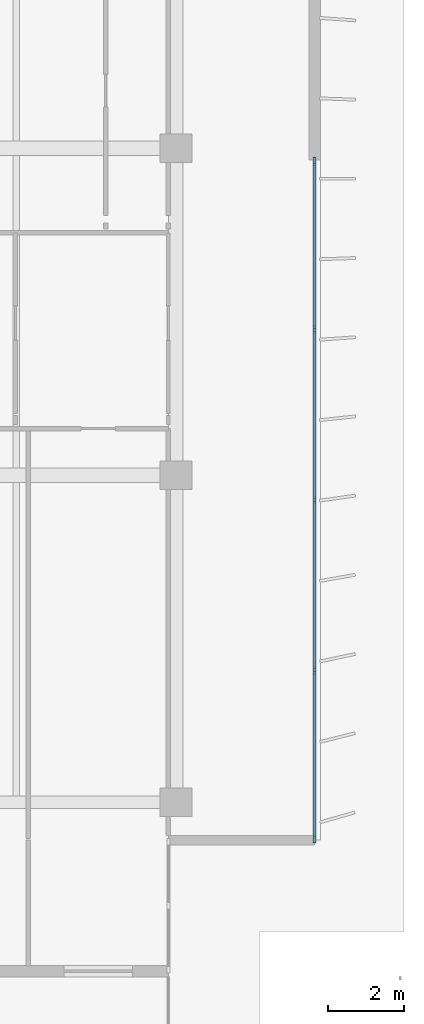
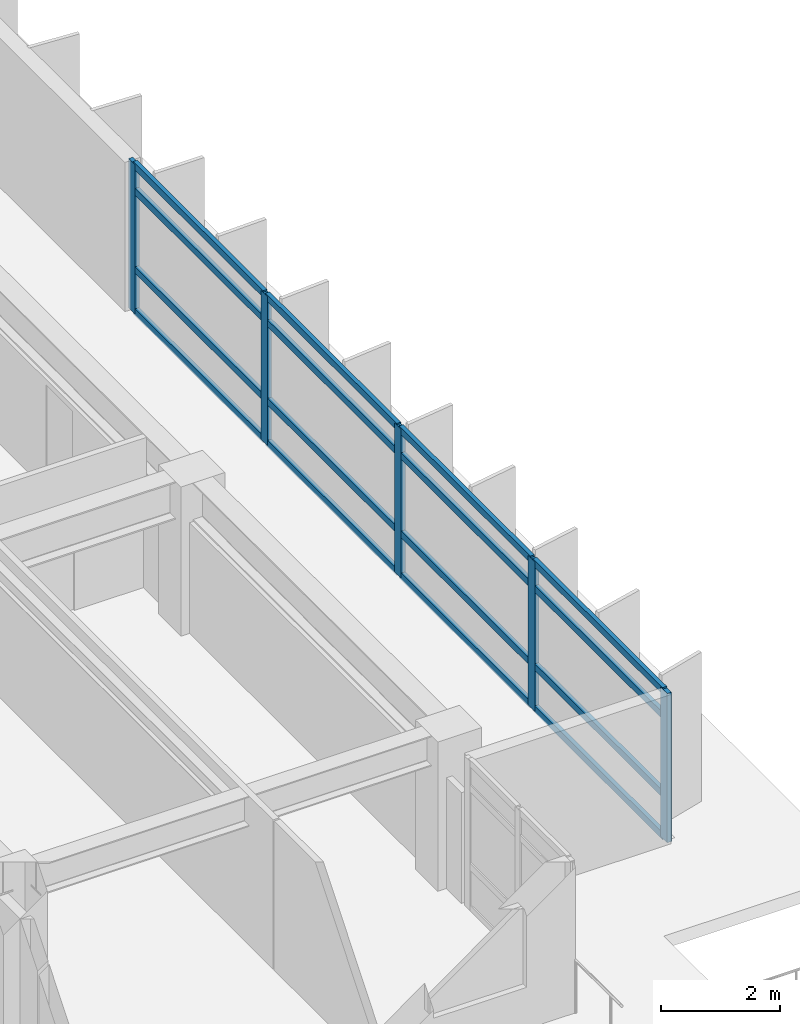
# One storey, part 5 of 17: 21 members, 1 element without a shape of its own.
"""IFC4 building model written with IfcOpenShell, lengths in metres."""

from ifc_helpers import new_model, si_unit, direction, frame, origin, origin_2d, place, context, subcontext, project, spatial, rectangle, extrude, material, layer, layer_set, material_profile, profile_set, type_object, element, aggregate, save


model = new_model("IFC4")

# Units and contexts
model_context = context("Model", 3, precision=1e-05, world=origin(), true_north=direction((0.0, 1.0)))
body_context = subcontext(model_context, "Body", "Model", "MODEL_VIEW")
ifc_project = project(units=[si_unit("LENGTHUNIT", "METRE"), si_unit("AREAUNIT", "SQUARE_METRE"), si_unit("VOLUMEUNIT", "CUBIC_METRE"), si_unit("PLANEANGLEUNIT", "RADIAN"), si_unit("MASSUNIT", "GRAM", prefix="KILO")], contexts=[model_context])

# Site, building, storey
site_placement = place(None, origin())
site = spatial("IfcSite", under=ifc_project, at=site_placement, CompositionType="ELEMENT")
building_placement = place(site_placement, origin())
building = spatial("IfcBuilding", under=site, at=building_placement, Name="Caelmar Bay Residences", CompositionType="ELEMENT")
storey_placement = place(building_placement, frame((0.0, 0.0, 157.199951171875)))
storey = spatial("IfcBuildingStorey", under=building, at=storey_placement, Name="L43", CompositionType="ELEMENT", Elevation=157.199951171875)

# Curtain wall, members
ifc_material_1 = material(Name="Anodised bronze aluminium 6063-T6 and laminated glass", Category="aluminium")
ifc_layer = layer(ifc_material_1, 0.179931640625)
ifc_layer_set = layer_set([ifc_layer], Name="Anodised bronze aluminium 6063-T6 and laminated glass")
curtain_wall_type = type_object("IfcCurtainWallType", Name="CW4-Z3", PredefinedType="NOTDEFINED", material=ifc_layer_set)
curtain_wall_placement = place(storey_placement, origin())
curtain_wall = element("IfcCurtainWall", 1, at=curtain_wall_placement, inside=storey, type_object=curtain_wall_type, Name="CW4 curtain wall L43", PredefinedType="NOTDEFINED")
ifc_material_2 = material(Name="Anodised bronze aluminium 6063-T6", Category="aluminium")
ifc_material_profile_1 = material_profile(ifc_material_2, rectangle(XDim=0.080078125, YDim=0.219970703125, at=origin_2d()), Name="CWM-80X220")
ifc_profile_set_1 = profile_set([ifc_material_profile_1], Name="Anodised bronze aluminium 6063-T6")
member_type_1 = type_object("IfcMemberType", Name="CWM-220", PredefinedType="MULLION", material=ifc_profile_set_1)
member_1_placement = place(storey_placement, frame((71.550048828125, 29.06005859375, 0.0), z_axis=(0.0, 0.0, 1.0), x_axis=(1.0, 0.0, 0.0)))
member_1 = element("IfcMember", 2, at=member_1_placement, type_object=member_type_1, Name="CW4 mullion 1", PredefinedType="MULLION", context=body_context, shape_type="SweptSolid", body=[
    extrude(rectangle(XDim=0.080078125, YDim=0.219970703125, at=origin_2d()), origin(), (0.0, 0.0, 1.0), 3.050048828125),
])
member_2_placement = place(storey_placement, frame((71.550048828125, 24.625, 0.0), z_axis=(0.0, 0.0, 1.0), x_axis=(1.0, 0.0, 0.0)))
member_2 = element("IfcMember", 3, at=member_2_placement, type_object=member_type_1, Name="CW4 mullion 2", PredefinedType="MULLION", context=body_context, shape_type="SweptSolid", body=[
    extrude(rectangle(XDim=0.080078125, YDim=0.219970703125, at=origin_2d()), origin(), (0.0, 0.0, 1.0), 3.050048828125),
])
member_3_placement = place(storey_placement, frame((71.550048828125, 20.14990234375, 0.0), z_axis=(0.0, 0.0, 1.0), x_axis=(1.0, 0.0, 0.0)))
member_3 = element("IfcMember", 4, at=member_3_placement, type_object=member_type_1, Name="CW4 mullion 3", PredefinedType="MULLION", context=body_context, shape_type="SweptSolid", body=[
    extrude(rectangle(XDim=0.080078125, YDim=0.219970703125, at=origin_2d()), origin(), (0.0, 0.0, 1.0), 3.050048828125),
])
member_4_placement = place(storey_placement, frame((71.550048828125, 15.675048828125, 0.0), z_axis=(0.0, 0.0, 1.0), x_axis=(1.0, 0.0, 0.0)))
member_4 = element("IfcMember", 5, at=member_4_placement, type_object=member_type_1, Name="CW4 mullion 4", PredefinedType="MULLION", context=body_context, shape_type="SweptSolid", body=[
    extrude(rectangle(XDim=0.080078125, YDim=0.219970703125, at=origin_2d()), origin(), (0.0, 0.0, 1.0), 3.050048828125),
])
member_5_placement = place(storey_placement, frame((71.550048828125, 11.239990234375, 0.0), z_axis=(0.0, 0.0, 1.0), x_axis=(1.0, 0.0, 0.0)))
member_5 = element("IfcMember", 6, at=member_5_placement, type_object=member_type_1, Name="CW4 mullion 5", PredefinedType="MULLION", context=body_context, shape_type="SweptSolid", body=[
    extrude(rectangle(XDim=0.080078125, YDim=0.219970703125, at=origin_2d()), origin(), (0.0, 0.0, 1.0), 3.050048828125),
])
ifc_material_profile_2 = material_profile(ifc_material_2, rectangle(XDim=0.080078125, YDim=0.139892578125, at=origin_2d()), Name="CWT-80X140")
ifc_profile_set_2 = profile_set([ifc_material_profile_2], Name="Anodised bronze aluminium 6063-T6")
member_type_2 = type_object("IfcMemberType", Name="CWT-140", PredefinedType="NOTDEFINED", material=ifc_profile_set_2)
member_6_placement = place(storey_placement, frame((71.550048828125, 29.02001953125, 0.0400390625), z_axis=(0.0, -1.0, 0.0), x_axis=(1.0, 0.0, 0.0)))
member_6 = element("IfcMember", 7, at=member_6_placement, type_object=member_type_2, Name="CW4 transom 1.1", ObjectType="TRANSOM", PredefinedType="USERDEFINED", context=body_context, shape_type="SweptSolid", body=[
    extrude(rectangle(XDim=0.080078125, YDim=0.139892578125, at=origin_2d()), origin(), (0.0, 0.0, 1.0), 4.35498046875),
])
member_7_placement = place(storey_placement, frame((71.550048828125, 29.02001953125, 0.900146484375), z_axis=(0.0, -1.0, 0.0), x_axis=(1.0, 0.0, 0.0)))
member_7 = element("IfcMember", 8, at=member_7_placement, type_object=member_type_2, Name="CW4 transom 1.2", ObjectType="TRANSOM", PredefinedType="USERDEFINED", context=body_context, shape_type="SweptSolid", body=[
    extrude(rectangle(XDim=0.080078125, YDim=0.139892578125, at=origin_2d()), origin(), (0.0, 0.0, 1.0), 4.35498046875),
])
member_8_placement = place(storey_placement, frame((71.550048828125, 29.02001953125, 2.5), z_axis=(0.0, -1.0, 0.0), x_axis=(1.0, 0.0, 0.0)))
member_8 = element("IfcMember", 9, at=member_8_placement, type_object=member_type_2, Name="CW4 transom 1.3", ObjectType="TRANSOM", PredefinedType="USERDEFINED", context=body_context, shape_type="SweptSolid", body=[
    extrude(rectangle(XDim=0.080078125, YDim=0.139892578125, at=origin_2d()), origin(), (0.0, 0.0, 1.0), 4.35498046875),
])
member_9_placement = place(storey_placement, frame((71.550048828125, 29.02001953125, 3.010009765625), z_axis=(0.0, -1.0, 0.0), x_axis=(1.0, 0.0, 0.0)))
member_9 = element("IfcMember", 10, at=member_9_placement, type_object=member_type_2, Name="CW4 transom 1.4", ObjectType="TRANSOM", PredefinedType="USERDEFINED", context=body_context, shape_type="SweptSolid", body=[
    extrude(rectangle(XDim=0.080078125, YDim=0.139892578125, at=origin_2d()), origin(), (0.0, 0.0, 1.0), 4.35498046875),
])
member_10_placement = place(storey_placement, frame((71.550048828125, 24.5849609375, 0.0400390625), z_axis=(0.0, -1.0, 0.0), x_axis=(1.0, 0.0, 0.0)))
member_10 = element("IfcMember", 11, at=member_10_placement, type_object=member_type_2, Name="CW4 transom 2.1", ObjectType="TRANSOM", PredefinedType="USERDEFINED", context=body_context, shape_type="SweptSolid", body=[
    extrude(rectangle(XDim=0.080078125, YDim=0.139892578125, at=origin_2d()), origin(), (0.0, 0.0, 1.0), 4.39501953125),
])
member_11_placement = place(storey_placement, frame((71.550048828125, 24.5849609375, 0.900146484375), z_axis=(0.0, -1.0, 0.0), x_axis=(1.0, 0.0, 0.0)))
member_11 = element("IfcMember", 12, at=member_11_placement, type_object=member_type_2, Name="CW4 transom 2.2", ObjectType="TRANSOM", PredefinedType="USERDEFINED", context=body_context, shape_type="SweptSolid", body=[
    extrude(rectangle(XDim=0.080078125, YDim=0.139892578125, at=origin_2d()), origin(), (0.0, 0.0, 1.0), 4.39501953125),
])
member_12_placement = place(storey_placement, frame((71.550048828125, 24.5849609375, 2.5), z_axis=(0.0, -1.0, 0.0), x_axis=(1.0, 0.0, 0.0)))
member_12 = element("IfcMember", 13, at=member_12_placement, type_object=member_type_2, Name="CW4 transom 2.3", ObjectType="TRANSOM", PredefinedType="USERDEFINED", context=body_context, shape_type="SweptSolid", body=[
    extrude(rectangle(XDim=0.080078125, YDim=0.139892578125, at=origin_2d()), origin(), (0.0, 0.0, 1.0), 4.39501953125),
])
member_13_placement = place(storey_placement, frame((71.550048828125, 24.5849609375, 3.010009765625), z_axis=(0.0, -1.0, 0.0), x_axis=(1.0, 0.0, 0.0)))
member_13 = element("IfcMember", 14, at=member_13_placement, type_object=member_type_2, Name="CW4 transom 2.4", ObjectType="TRANSOM", PredefinedType="USERDEFINED", context=body_context, shape_type="SweptSolid", body=[
    extrude(rectangle(XDim=0.080078125, YDim=0.139892578125, at=origin_2d()), origin(), (0.0, 0.0, 1.0), 4.39501953125),
])
member_14_placement = place(storey_placement, frame((71.550048828125, 20.110107421875, 0.0400390625), z_axis=(0.0, -1.0, 0.0), x_axis=(1.0, 0.0, 0.0)))
member_14 = element("IfcMember", 15, at=member_14_placement, type_object=member_type_2, Name="CW4 transom 3.1", ObjectType="TRANSOM", PredefinedType="USERDEFINED", context=body_context, shape_type="SweptSolid", body=[
    extrude(rectangle(XDim=0.080078125, YDim=0.139892578125, at=origin_2d()), origin(), (0.0, 0.0, 1.0), 4.39501953125),
])
member_15_placement = place(storey_placement, frame((71.550048828125, 20.110107421875, 0.900146484375), z_axis=(0.0, -1.0, 0.0), x_axis=(1.0, 0.0, 0.0)))
member_15 = element("IfcMember", 16, at=member_15_placement, type_object=member_type_2, Name="CW4 transom 3.2", ObjectType="TRANSOM", PredefinedType="USERDEFINED", context=body_context, shape_type="SweptSolid", body=[
    extrude(rectangle(XDim=0.080078125, YDim=0.139892578125, at=origin_2d()), origin(), (0.0, 0.0, 1.0), 4.39501953125),
])
member_16_placement = place(storey_placement, frame((71.550048828125, 20.110107421875, 2.5), z_axis=(0.0, -1.0, 0.0), x_axis=(1.0, 0.0, 0.0)))
member_16 = element("IfcMember", 17, at=member_16_placement, type_object=member_type_2, Name="CW4 transom 3.3", ObjectType="TRANSOM", PredefinedType="USERDEFINED", context=body_context, shape_type="SweptSolid", body=[
    extrude(rectangle(XDim=0.080078125, YDim=0.139892578125, at=origin_2d()), origin(), (0.0, 0.0, 1.0), 4.39501953125),
])
member_17_placement = place(storey_placement, frame((71.550048828125, 20.110107421875, 3.010009765625), z_axis=(0.0, -1.0, 0.0), x_axis=(1.0, 0.0, 0.0)))
member_17 = element("IfcMember", 18, at=member_17_placement, type_object=member_type_2, Name="CW4 transom 3.4", ObjectType="TRANSOM", PredefinedType="USERDEFINED", context=body_context, shape_type="SweptSolid", body=[
    extrude(rectangle(XDim=0.080078125, YDim=0.139892578125, at=origin_2d()), origin(), (0.0, 0.0, 1.0), 4.39501953125),
])
member_18_placement = place(storey_placement, frame((71.550048828125, 15.635009765625, 0.0400390625), z_axis=(0.0, -1.0, 0.0), x_axis=(1.0, 0.0, 0.0)))
member_18 = element("IfcMember", 19, at=member_18_placement, type_object=member_type_2, Name="CW4 transom 4.1", ObjectType="TRANSOM", PredefinedType="USERDEFINED", context=body_context, shape_type="SweptSolid", body=[
    extrude(rectangle(XDim=0.080078125, YDim=0.139892578125, at=origin_2d()), origin(), (0.0, 0.0, 1.0), 4.35498046875),
])
member_19_placement = place(storey_placement, frame((71.550048828125, 15.635009765625, 0.900146484375), z_axis=(0.0, -1.0, 0.0), x_axis=(1.0, 0.0, 0.0)))
member_19 = element("IfcMember", 20, at=member_19_placement, type_object=member_type_2, Name="CW4 transom 4.2", ObjectType="TRANSOM", PredefinedType="USERDEFINED", context=body_context, shape_type="SweptSolid", body=[
    extrude(rectangle(XDim=0.080078125, YDim=0.139892578125, at=origin_2d()), origin(), (0.0, 0.0, 1.0), 4.35498046875),
])
member_20_placement = place(storey_placement, frame((71.550048828125, 15.635009765625, 2.5), z_axis=(0.0, -1.0, 0.0), x_axis=(1.0, 0.0, 0.0)))
member_20 = element("IfcMember", 21, at=member_20_placement, type_object=member_type_2, Name="CW4 transom 4.3", ObjectType="TRANSOM", PredefinedType="USERDEFINED", context=body_context, shape_type="SweptSolid", body=[
    extrude(rectangle(XDim=0.080078125, YDim=0.139892578125, at=origin_2d()), origin(), (0.0, 0.0, 1.0), 4.35498046875),
])
member_21_placement = place(storey_placement, frame((71.550048828125, 15.635009765625, 3.010009765625), z_axis=(0.0, -1.0, 0.0), x_axis=(1.0, 0.0, 0.0)))
member_21 = element("IfcMember", 22, at=member_21_placement, type_object=member_type_2, Name="CW4 transom 4.4", ObjectType="TRANSOM", PredefinedType="USERDEFINED", context=body_context, shape_type="SweptSolid", body=[
    extrude(rectangle(XDim=0.080078125, YDim=0.139892578125, at=origin_2d()), origin(), (0.0, 0.0, 1.0), 4.35498046875),
])
aggregate(curtain_wall, [member_1, member_2, member_3, member_4, member_5, member_6, member_7, member_8, member_9, member_10, member_11, member_12, member_13, member_14, member_15, member_16, member_17, member_18, member_19, member_20, member_21])

save(model, "model.ifc")
